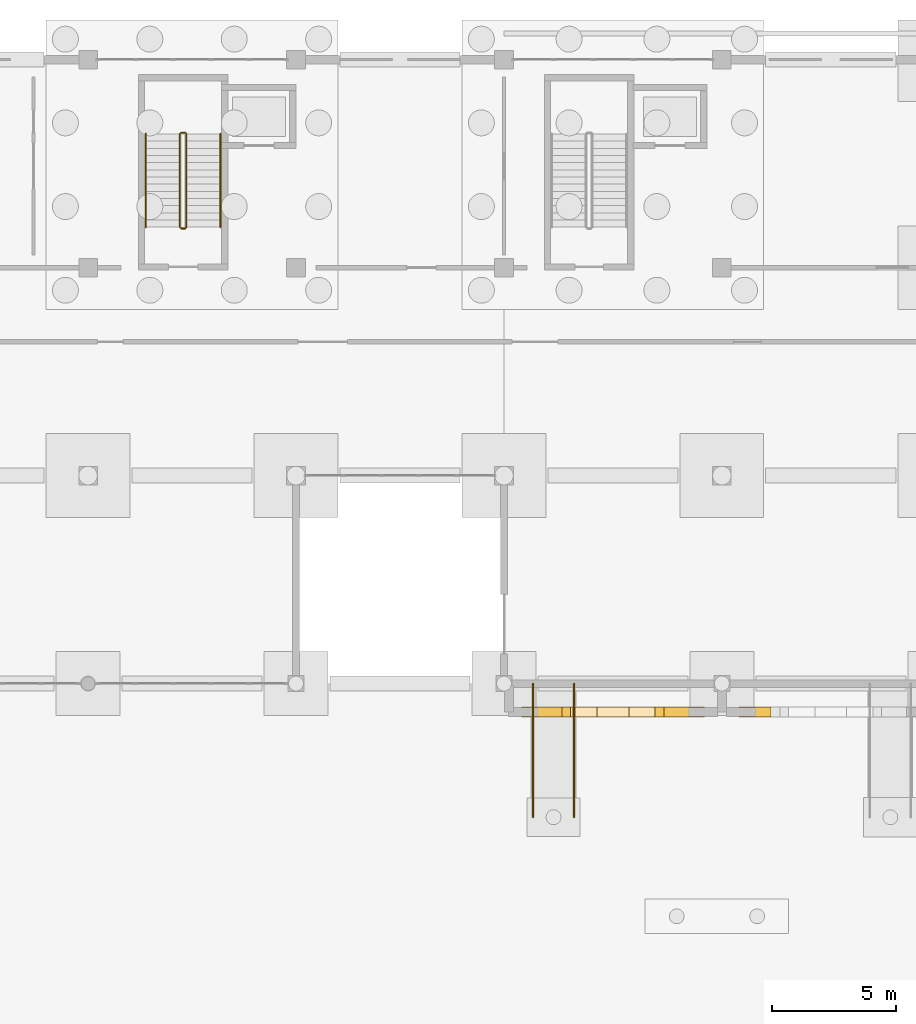
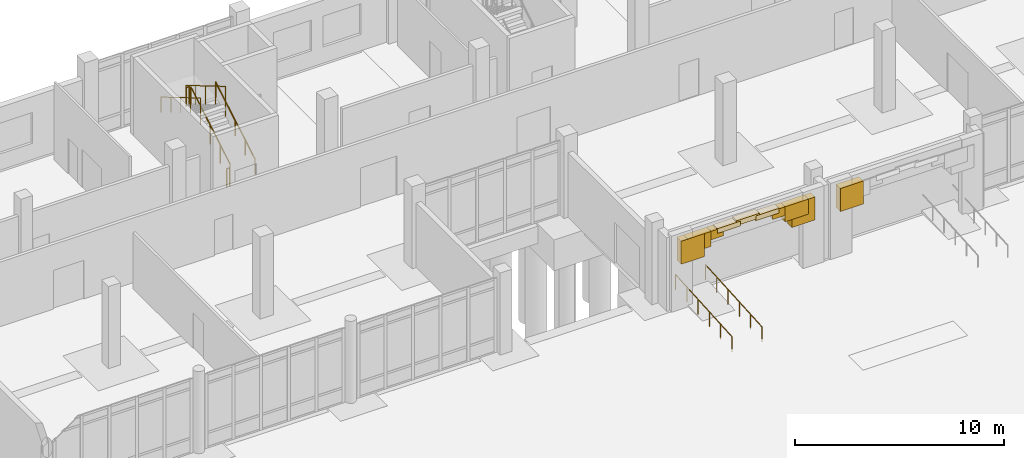
# One storey, part 65 of 72: 10 coverings, 8 railings.
"""IFC4 building model written with IfcOpenShell, lengths in metres."""

from ifc_helpers import new_model, si_unit, direction, frame, origin, origin_2d, place, context, subcontext, project, spatial, rectangle, circle, extrude, material, layer, layer_set, type_object, element, save


model = new_model("IFC4")

# Units and contexts
model_context = context("Model", 3, precision=1e-05, world=origin(), true_north=direction((0.0, 1.0)))
body_context = subcontext(model_context, "Body", "Model", "MODEL_VIEW")
ifc_project = project(units=[si_unit("LENGTHUNIT", "METRE"), si_unit("AREAUNIT", "SQUARE_METRE"), si_unit("VOLUMEUNIT", "CUBIC_METRE"), si_unit("PLANEANGLEUNIT", "RADIAN"), si_unit("MASSUNIT", "GRAM", prefix="KILO")], contexts=[model_context])

# Site, building, storey
site_placement = place(None, origin())
site = spatial("IfcSite", under=ifc_project, at=site_placement, CompositionType="ELEMENT")
building_placement = place(site_placement, origin())
building = spatial("IfcBuilding", under=site, at=building_placement, Name="Cinderway Yard Community Centre", CompositionType="ELEMENT")
storey_placement = place(building_placement, origin())
storey = spatial("IfcBuildingStorey", under=building, at=storey_placement, Name="L00", CompositionType="ELEMENT", Elevation=0.0)

# Coverings
ifc_material_1 = material(Name="Brick Masonry", Category="masonry")
ifc_layer = layer(ifc_material_1, 0.18994140625, Name="Brick Masonry")
ifc_layer_set = layer_set([ifc_layer], Name="Brick Masonry")
covering_type = type_object("IfcCoveringType", Name="ENV-COV-BRK-SCREEN", PredefinedType="CLADDING", material=ifc_layer_set)
covering_1_placement = place(storey_placement, frame((76.537109375, 88.85009765625, 2.64794921875), z_axis=(0.0, 0.0, 1.0), x_axis=(1.0, 0.0, 0.0)))
element("IfcCovering", 1, at=covering_1_placement, inside=storey, type_object=covering_type, Name="Civic Reception West Arched Niche Arch Voussoir 7.1", PredefinedType="CLADDING", context=body_context, shape_type="SweptSolid", body=[
    extrude(rectangle(XDim=1.281005859375, YDim=0.419921875, at=origin_2d()), origin(), (0.0, 0.0, 1.0), 1.342041015625),
])
covering_2_placement = place(storey_placement, frame((76.906982421875, 88.85009765625, 3.115478515625), z_axis=(0.0, 0.0, 1.0), x_axis=(1.0, 0.0, 0.0)))
element("IfcCovering", 2, at=covering_2_placement, inside=storey, type_object=covering_type, Name="Civic Reception West Arched Niche Arch Voussoir 7.2", PredefinedType="CLADDING", context=body_context, shape_type="SweptSolid", body=[
    extrude(rectangle(XDim=1.281005859375, YDim=0.419921875, at=origin_2d()), origin(), (0.0, 0.0, 1.0), 0.875),
])
covering_3_placement = place(storey_placement, frame((77.60107421875, 88.85009765625, 3.495361328125), z_axis=(0.0, 0.0, 1.0), x_axis=(1.0, 0.0, 0.0)))
element("IfcCovering", 3, at=covering_3_placement, inside=storey, type_object=covering_type, Name="Civic Reception West Arched Niche Arch Voussoir 7.3", PredefinedType="CLADDING", context=body_context, shape_type="SweptSolid", body=[
    extrude(rectangle(XDim=1.281005859375, YDim=0.419921875, at=origin_2d()), origin(), (0.0, 0.0, 1.0), 0.4951171875),
])
for number, where, z_axis, x_axis, name in (
    (4, (78.535888671875, 88.85009765625, 3.744140625), (0.0, 0.0, 1.0), (1.0, 0.0, 0.0), "Civic Reception West Arched Niche Arch Voussoir 7.4"),
    (5, (79.60009765625, 88.85009765625, 3.830078125), (0.0, 0.0, 1.0), (1.0, 0.0, 0.0), "Civic Reception West Arched Niche Arch Voussoir 7.5"),
    (6, (80.6640625, 88.85009765625, 3.744140625), (0.0, 0.0, 1.0), (1.0, 0.0, 0.0), "Civic Reception West Arched Niche Arch Voussoir 7.6"),
):
    element("IfcCovering", number, at=place(storey_placement, frame(where, z_axis=z_axis, x_axis=x_axis)), inside=storey, type_object=covering_type, Name=name, PredefinedType="CLADDING", context=body_context, shape_type="SweptSolid", body=[
        extrude(rectangle(XDim=1.281005859375, YDim=0.419921875, at=origin_2d()), origin(), (0.0, 0.0, 1.0), 0.280029296875),
    ])
covering_4_placement = place(storey_placement, frame((81.59912109375, 88.85009765625, 3.495361328125), z_axis=(0.0, 0.0, 1.0), x_axis=(1.0, 0.0, 0.0)))
element("IfcCovering", 7, at=covering_4_placement, inside=storey, type_object=covering_type, Name="Civic Reception West Arched Niche Arch Voussoir 7.7", PredefinedType="CLADDING", context=body_context, shape_type="SweptSolid", body=[
    extrude(rectangle(XDim=1.281005859375, YDim=0.419921875, at=origin_2d()), origin(), (0.0, 0.0, 1.0), 0.4951171875),
])
covering_5_placement = place(storey_placement, frame((82.29296875, 88.85009765625, 3.115478515625), z_axis=(0.0, 0.0, 1.0), x_axis=(1.0, 0.0, 0.0)))
element("IfcCovering", 8, at=covering_5_placement, inside=storey, type_object=covering_type, Name="Civic Reception West Arched Niche Arch Voussoir 7.8", PredefinedType="CLADDING", context=body_context, shape_type="SweptSolid", body=[
    extrude(rectangle(XDim=1.281005859375, YDim=0.419921875, at=origin_2d()), origin(), (0.0, 0.0, 1.0), 0.875),
])
for number, where, z_axis, x_axis, name in (
    (9, (82.6630859375, 88.85009765625, 2.64794921875), (0.0, 0.0, 1.0), (1.0, 0.0, 0.0), "Civic Reception West Arched Niche Arch Voussoir 7.9"),
    (10, (85.3369140625, 88.85009765625, 2.64794921875), (0.0, 0.0, 1.0), (1.0, 0.0, 0.0), "Civic Reception East Arched Niche Arch Voussoir 8.1"),
):
    element("IfcCovering", number, at=place(storey_placement, frame(where, z_axis=z_axis, x_axis=x_axis)), inside=storey, type_object=covering_type, Name=name, PredefinedType="CLADDING", context=body_context, shape_type="SweptSolid", body=[
        extrude(rectangle(XDim=1.281005859375, YDim=0.419921875, at=origin_2d()), origin(), (0.0, 0.0, 1.0), 1.342041015625),
    ])

# Railings
ifc_material_2 = material(Name="Painted Galvanised Steel", Category="steel")
railing_type_1 = type_object("IfcRailingType", Name="INT-RAL-GRD112", PredefinedType="GUARDRAIL", material=ifc_material_2)
railing_1_placement = place(storey_placement, frame((62.3701171875, 108.429931640625, 0.17138671875)))
element("IfcRailing", 11, at=railing_1_placement, inside=storey, type_object=railing_type_1, Name="L00 ST-01 stair guard 1", PredefinedType="GUARDRAIL", context=body_context, shape_type="SweptSolid", body=[
    extrude(circle(Radius=0.02392578125, at=origin_2d()), frame((0.0, 0.0, 1.076171875), z_axis=(0.0, 0.860848830602, 0.508860777473), x_axis=(-1.0, 0.0, 0.0)), (0.0, 0.0, 1.0), 4.37939453125),
    extrude(circle(Radius=0.02099609375, at=origin_2d()), origin(), (0.0, 0.0, 1.0), 1.052001953125),
    extrude(circle(Radius=0.02099609375, at=origin_2d()), frame((0.0, 0.9423828125, 0.55712890625)), (0.0, 0.0, 1.0), 1.052001953125),
    extrude(circle(Radius=0.02099609375, at=origin_2d()), frame((0.0, 1.885009765625, 1.1142578125)), (0.0, 0.0, 1.0), 1.052001953125),
    extrude(circle(Radius=0.02099609375, at=origin_2d()), frame((0.0, 2.82763671875, 1.67138671875)), (0.0, 0.0, 1.0), 1.052001953125),
    extrude(circle(Radius=0.02099609375, at=origin_2d()), frame((0.0, 3.77001953125, 2.228515625)), (0.0, 0.0, 1.0), 1.052001953125),
])
railing_2_placement = place(storey_placement, frame((62.320068359375, 112.25, 2.39990234375)))
element("IfcRailing", 12, at=railing_2_placement, inside=storey, type_object=railing_type_1, Name="L00 ST-01 stair guard 2", PredefinedType="GUARDRAIL", context=body_context, shape_type="SweptSolid", body=[
    extrude(circle(Radius=0.02392578125, at=origin_2d()), frame((0.0, 0.0, 1.076171875), z_axis=(-1.0, 0.0, 0.0), x_axis=(0.0, -1.0, 0.0)), (0.0, 0.0, 1.0), 0.16015625),
    extrude(circle(Radius=0.02099609375, at=origin_2d()), origin(), (0.0, 0.0, 1.0), 1.052001953125),
    extrude(circle(Radius=0.02099609375, at=origin_2d()), frame((-0.16015625, 0.0, 0.0)), (0.0, 0.0, 1.0), 1.052001953125),
])
railing_3_placement = place(storey_placement, frame((62.110107421875, 112.199951171875, 2.571533203125)))
element("IfcRailing", 13, at=railing_3_placement, inside=storey, type_object=railing_type_1, Name="L00 ST-01 stair guard 3", PredefinedType="GUARDRAIL", context=body_context, shape_type="SweptSolid", body=[
    extrude(circle(Radius=0.02392578125, at=origin_2d()), frame((0.0, 0.0, 1.076171875), z_axis=(0.0, -0.860848830602, 0.508860777473), x_axis=(1.0, 0.0, 0.0)), (0.0, 0.0, 1.0), 4.37939453125),
    extrude(circle(Radius=0.02099609375, at=origin_2d()), origin(), (0.0, 0.0, 1.0), 1.052001953125),
    extrude(circle(Radius=0.02099609375, at=origin_2d()), frame((0.0, -0.9423828125, 0.55712890625)), (0.0, 0.0, 1.0), 1.052001953125),
    extrude(circle(Radius=0.02099609375, at=origin_2d()), frame((0.0, -1.885009765625, 1.1142578125)), (0.0, 0.0, 1.0), 1.052001953125),
    extrude(circle(Radius=0.02099609375, at=origin_2d()), frame((0.0, -2.82763671875, 1.67138671875)), (0.0, 0.0, 1.0), 1.052001953125),
    extrude(circle(Radius=0.02099609375, at=origin_2d()), frame((0.0, -3.77001953125, 2.228515625)), (0.0, 0.0, 1.0), 1.052001953125),
])
railing_4_placement = place(storey_placement, frame((62.320068359375, 108.3798828125, 0.0)))
element("IfcRailing", 14, at=railing_4_placement, inside=storey, type_object=railing_type_1, Name="L00 ST-01 stair guard 4", PredefinedType="GUARDRAIL", context=body_context, shape_type="SweptSolid", body=[
    extrude(circle(Radius=0.02392578125, at=origin_2d()), frame((0.0, 0.0, 1.076171875), z_axis=(-1.0, 0.0, 0.0), x_axis=(0.0, -1.0, 0.0)), (0.0, 0.0, 1.0), 0.16015625),
    extrude(circle(Radius=0.02099609375, at=origin_2d()), origin(), (0.0, 0.0, 1.0), 1.052001953125),
    extrude(circle(Radius=0.02099609375, at=origin_2d()), frame((-0.16015625, 0.0, 0.0)), (0.0, 0.0, 1.0), 1.052001953125),
])
railing_type_2 = type_object("IfcRailingType", Name="INT-RAL-HND090", PredefinedType="HANDRAIL", material=ifc_material_2)
railing_5_placement = place(storey_placement, frame((63.75, 108.429931640625, 0.17138671875)))
element("IfcRailing", 15, at=railing_5_placement, inside=storey, type_object=railing_type_2, Name="L00 ST-01 stair handrail 1", PredefinedType="HANDRAIL", context=body_context, shape_type="SweptSolid", body=[
    extrude(circle(Radius=0.02392578125, at=origin_2d()), frame((0.0, 0.0, 0.8759765625), z_axis=(0.0, 0.860848830602, 0.508860777473), x_axis=(-1.0, 0.0, 0.0)), (0.0, 0.0, 1.0), 4.37939453125),
    extrude(circle(Radius=0.02099609375, at=origin_2d()), origin(), (0.0, 0.0, 1.0), 0.851806640625),
    extrude(circle(Radius=0.02099609375, at=origin_2d()), frame((0.0, 0.9423828125, 0.55712890625)), (0.0, 0.0, 1.0), 0.851806640625),
    extrude(circle(Radius=0.02099609375, at=origin_2d()), frame((0.0, 1.885009765625, 1.1142578125)), (0.0, 0.0, 1.0), 0.851806640625),
    extrude(circle(Radius=0.02099609375, at=origin_2d()), frame((0.0, 2.82763671875, 1.67138671875)), (0.0, 0.0, 1.0), 0.851806640625),
    extrude(circle(Radius=0.02099609375, at=origin_2d()), frame((0.0, 3.77001953125, 2.228515625)), (0.0, 0.0, 1.0), 0.851806640625),
])
railing_6_placement = place(storey_placement, frame((60.72998046875, 112.199951171875, 2.571533203125)))
element("IfcRailing", 16, at=railing_6_placement, inside=storey, type_object=railing_type_2, Name="L00 ST-01 stair handrail 2", PredefinedType="HANDRAIL", context=body_context, shape_type="SweptSolid", body=[
    extrude(circle(Radius=0.02392578125, at=origin_2d()), frame((0.0, 0.0, 0.8759765625), z_axis=(0.0, -0.860848830602, 0.508860777473), x_axis=(1.0, 0.0, 0.0)), (0.0, 0.0, 1.0), 4.37939453125),
    extrude(circle(Radius=0.02099609375, at=origin_2d()), origin(), (0.0, 0.0, 1.0), 0.851806640625),
    extrude(circle(Radius=0.02099609375, at=origin_2d()), frame((0.0, -0.9423828125, 0.55712890625)), (0.0, 0.0, 1.0), 0.851806640625),
    extrude(circle(Radius=0.02099609375, at=origin_2d()), frame((0.0, -1.885009765625, 1.1142578125)), (0.0, 0.0, 1.0), 0.851806640625),
    extrude(circle(Radius=0.02099609375, at=origin_2d()), frame((0.0, -2.82763671875, 1.67138671875)), (0.0, 0.0, 1.0), 0.851806640625),
    extrude(circle(Radius=0.02099609375, at=origin_2d()), frame((0.0, -3.77001953125, 2.228515625)), (0.0, 0.0, 1.0), 0.851806640625),
])
for number, where, name in (
    (17, (78.028076171875, 84.60009765625, -0.179931640625), "Main Civic Courtyard Accessible Ramp Handrail L"),
    (18, (76.3720703125, 84.60009765625, -0.179931640625), "Main Civic Courtyard Accessible Ramp Handrail R"),
):
    element("IfcRailing", number, at=place(storey_placement, frame(where)), inside=storey, type_object=railing_type_2, Name=name, PredefinedType="HANDRAIL", context=body_context, shape_type="SweptSolid", body=[
        extrude(circle(Radius=0.02392578125, at=origin_2d()), frame((0.0, 0.0, 0.8759765625), z_axis=(0.0, 0.997786754453, 0.066495057241), x_axis=(-1.0, 0.0, 0.0)), (0.0, 0.0, 1.0), 5.411865234375),
        extrude(circle(Radius=0.02099609375, at=origin_2d()), origin(), (0.0, 0.0, 1.0), 0.851806640625),
        extrude(circle(Radius=0.02099609375, at=origin_2d()), frame((0.0, 1.080078125, 0.072021484375)), (0.0, 0.0, 1.0), 0.851806640625),
        extrude(circle(Radius=0.02099609375, at=origin_2d()), frame((0.0, 2.159912109375, 0.14404296875)), (0.0, 0.0, 1.0), 0.851806640625),
        extrude(circle(Radius=0.02099609375, at=origin_2d()), frame((0.0, 3.239990234375, 0.2158203125)), (0.0, 0.0, 1.0), 0.851806640625),
        extrude(circle(Radius=0.02099609375, at=origin_2d()), frame((0.0, 4.31982421875, 0.287841796875)), (0.0, 0.0, 1.0), 0.851806640625),
        extrude(circle(Radius=0.02099609375, at=origin_2d()), frame((0.0, 5.39990234375, 0.35986328125)), (0.0, 0.0, 1.0), 0.851806640625),
    ])

save(model, "model.ifc")
